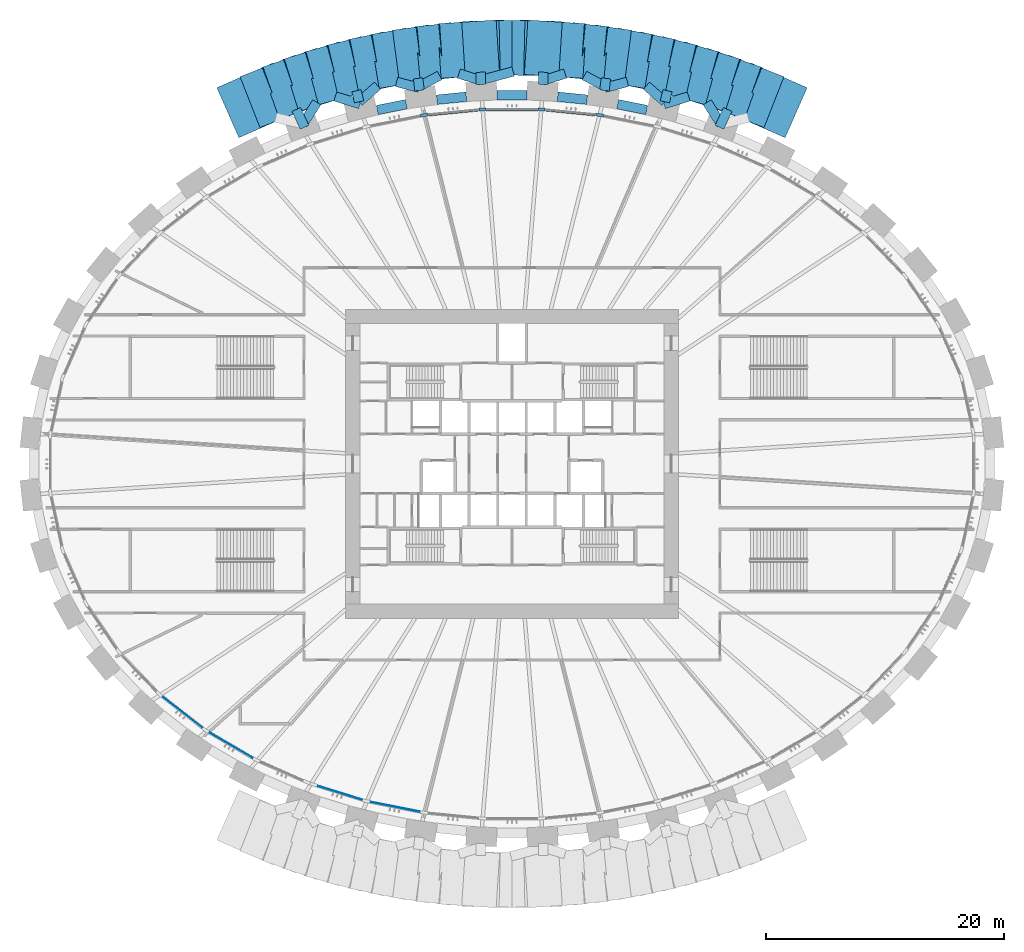
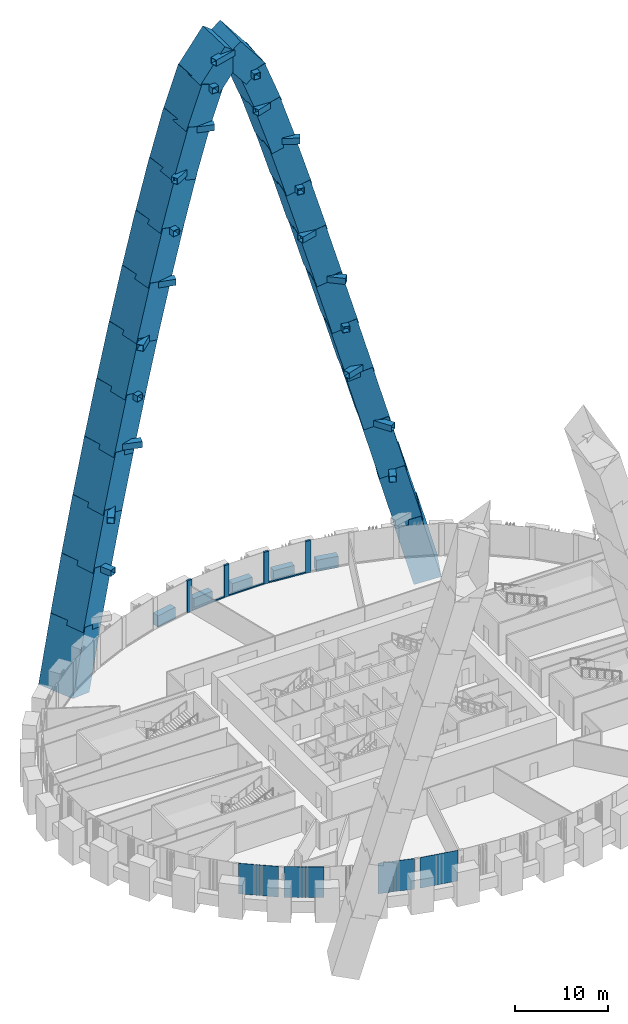
# One storey, part 5 of 23: 52 members, 5 beams, 4 plates, 3 elements without a shape of their own.
"""IFC4 building model written with IfcOpenShell, lengths in metres."""

from ifc_helpers import new_model, si_unit, direction, frame, origin, origin_2d, place, context, subcontext, project, spatial, rectangle, hollow_rectangle, extrude, source, transform, mapped, material, layer, layer_set, material_profile, profile_set, type_object, element, aggregate, save


model = new_model("IFC4")

# Units and contexts
model_context = context("Model", 3, precision=1e-05, world=origin(), true_north=direction((0.0, 1.0)))
body_context = subcontext(model_context, "Body", "Model", "MODEL_VIEW")
ifc_project = project(units=[si_unit("LENGTHUNIT", "METRE"), si_unit("AREAUNIT", "SQUARE_METRE"), si_unit("VOLUMEUNIT", "CUBIC_METRE"), si_unit("PLANEANGLEUNIT", "RADIAN"), si_unit("MASSUNIT", "GRAM", prefix="KILO")], contexts=[model_context])

# Site, building, storey
site_placement = place(None, origin())
site = spatial("IfcSite", under=ifc_project, at=site_placement, CompositionType="ELEMENT")
building_placement = place(site_placement, origin())
building = spatial("IfcBuilding", under=site, at=building_placement, Name="Embergate Tower", CompositionType="ELEMENT")
storey_placement = place(building_placement, frame((0.0, 0.0, 29.0)))
storey = spatial("IfcBuildingStorey", under=building, at=storey_placement, Name="L03", CompositionType="ELEMENT", Elevation=29.0)

# Beams
ifc_material_1 = material(Name="Concrete C70", Category="concrete")
ifc_material_profile_1 = material_profile(ifc_material_1, rectangle(XDim=0.800048828125, YDim=1.5, at=origin_2d()), Name="RC 800x1500")
ifc_profile_set_1 = profile_set([ifc_material_profile_1], Name="Concrete C70")
beam_type = type_object("IfcBeamType", Name="Spandrel beam RC 800x1500 C70", PredefinedType="BEAM", material=ifc_profile_set_1)
shared_shape_1 = source(origin(), body_context, "Body", "SweptSolid", [
    extrude(rectangle(XDim=0.800048828125, YDim=1.5, at=origin_2d()), origin(), (0.0, 0.0, 1.0), 2.49072265625),
])
for number, where, z_axis, x_axis, name in (
    (1, (11.3310546875, 29.76806640625, 0.0), (-0.980535407691, 0.196342339459, 0.0), (-0.196342339459, -0.980535407691, 0.0), "SPN-L03-08"),
    (2, (-8.888916015625, 30.257080078125, 0.0), (-0.980535407691, -0.196342339459, 0.0), (0.196342339459, -0.980535407691, 0.0), "SPN-L03-12"),
):
    element("IfcBeam", number, at=place(storey_placement, frame(where, z_axis=z_axis, x_axis=x_axis)), inside=storey, type_object=beam_type, Name=name, PredefinedType="BEAM", context=body_context, shape_type="MappedRepresentation", body=[
        mapped(shared_shape_1, transform((0.0, 0.0, 0.0))),
    ])
shared_shape_2 = source(origin(), body_context, "Body", "SweptSolid", [
    extrude(rectangle(XDim=0.800048828125, YDim=1.5, at=origin_2d()), origin(), (0.0, 0.0, 1.0), 2.489013671875),
])
for number, where, z_axis, x_axis, name in (
    (3, (6.318115234375, 30.639892578125, 0.0), (-0.995177967328, 0.098085744858, 0.0), (-0.098085744858, -0.995177967328, 0.0), "SPN-L03-09"),
    (4, (-3.841064453125, 30.884033203125, 0.0), (-0.995177967328, -0.098085744858, 0.0), (0.098085744858, -0.995177967328, 0.0), "SPN-L03-11"),
):
    element("IfcBeam", number, at=place(storey_placement, frame(where, z_axis=z_axis, x_axis=x_axis)), inside=storey, type_object=beam_type, Name=name, PredefinedType="BEAM", context=body_context, shape_type="MappedRepresentation", body=[
        mapped(shared_shape_2, transform((0.0, 0.0, 0.0))),
    ])
shared_shape_3 = source(origin(), body_context, "Body", "SweptSolid", [
    extrude(rectangle(XDim=0.800048828125, YDim=1.5, at=origin_2d()), origin(), (0.0, 0.0, 1.0), 2.48779296875),
])
beam_placement = place(storey_placement, frame((1.243896484375, 31.010986328125, 0.0), z_axis=(-1.0, 0.0, 0.0), x_axis=(0.0, -1.0, 0.0)))
element("IfcBeam", 5, at=beam_placement, inside=storey, type_object=beam_type, Name="SPN-L03-10", PredefinedType="BEAM", context=body_context, shape_type="MappedRepresentation", body=[
    mapped(shared_shape_3, transform((0.0, 0.0, 0.0))),
])

# Members
ifc_material_profile_2 = material_profile(ifc_material_1, rectangle(XDim=4.60009765625, YDim=3.10009765625, at=origin_2d()), Name="RC 4600x3100")
ifc_profile_set_2 = profile_set([ifc_material_profile_2], Name="Concrete C70")
member_type_1 = type_object("IfcMemberType", Name="Arch ring masonry RC 4600x3100", PredefinedType="MEMBER", material=ifc_profile_set_2)
shared_shape_4 = source(origin(), body_context, "Body", "SweptSolid", [
    extrude(rectangle(XDim=4.60009765625, YDim=3.10009765625, at=origin_2d()), origin(), (0.0, 0.0, 1.0), 8.43896484375),
])
for number, where, z_axis, x_axis, name in (
    (6, (22.534912109375, 30.14501953125, -5.300048828125), (-0.240555014134, 0.106058290056, 0.964823778877), (-0.403420744744, -0.915014591529, 0.0), "ARC-N-RG00"),
    (7, (-20.5048828125, 31.0400390625, 2.842041015625), (-0.240555014134, -0.106058290056, -0.964823778877), (0.403420744744, -0.915014591529, 0.0), "ARC-N-RG23"),
):
    element("IfcMember", number, at=place(storey_placement, frame(where, z_axis=z_axis, x_axis=x_axis)), inside=storey, type_object=member_type_1, Name=name, PredefinedType="MEMBER", context=body_context, shape_type="MappedRepresentation", body=[
        mapped(shared_shape_4, transform((0.0, 0.0, 0.0))),
    ])
shared_shape_5 = source(origin(), body_context, "Body", "SweptSolid", [
    extrude(rectangle(XDim=4.60009765625, YDim=3.10009765625, at=origin_2d()), origin(), (0.0, 0.0, 1.0), 7.664306640625),
])
for number, where, z_axis, x_axis, name in (
    (8, (20.65087890625, 30.97900390625, 2.263916015625), (-0.245405845847, 0.096423091301, 0.964613165102), (-0.365697225871, -0.930733871195, 0.0), "ARC-N-RG01"),
    (9, (-18.77001953125, 31.718017578125, 9.656982421875), (-0.245405845847, -0.096423091301, -0.964613165102), (0.365697225871, -0.930733871195, 0.0), "ARC-N-RG22"),
):
    element("IfcMember", number, at=place(storey_placement, frame(where, z_axis=z_axis, x_axis=x_axis)), inside=storey, type_object=member_type_1, Name=name, PredefinedType="MEMBER", context=body_context, shape_type="MappedRepresentation", body=[
        mapped(shared_shape_5, transform((0.0, 0.0, 0.0))),
    ])
shared_shape_6 = source(origin(), body_context, "Body", "SweptSolid", [
    extrude(rectangle(XDim=4.60009765625, YDim=3.10009765625, at=origin_2d()), origin(), (0.0, 0.0, 1.0), 7.525390625),
])
for number, where, z_axis, x_axis, name in (
    (10, (18.9189453125, 31.6630859375, 9.0791015625), (-0.249412764304, 0.087560490486, 0.964430626592), (-0.331246829479, -0.943544136731, 0.0), "ARC-N-RG02"),
    (11, (-17.0419921875, 32.322021484375, 16.3369140625), (-0.249412764304, -0.087560490486, -0.964430626592), (0.331246829479, -0.943544136731, 0.0), "ARC-N-RG21"),
):
    element("IfcMember", number, at=place(storey_placement, frame(where, z_axis=z_axis, x_axis=x_axis)), inside=storey, type_object=member_type_1, Name=name, PredefinedType="MEMBER", context=body_context, shape_type="MappedRepresentation", body=[
        mapped(shared_shape_6, transform((0.0, 0.0, 0.0))),
    ])
shared_shape_7 = source(origin(), body_context, "Body", "SweptSolid", [
    extrude(rectangle(XDim=4.60009765625, YDim=3.10009765625, at=origin_2d()), origin(), (0.0, 0.0, 1.0), 7.531982421875),
])
for number, where, z_axis, x_axis, name in (
    (12, (17.193115234375, 32.27197265625, 15.759033203125), (-0.253345446882, 0.078992176824, 0.964145383511), (-0.297662911935, -0.954671038033, 0.0), "ARC-N-RG03"),
    (13, (-15.284912109375, 32.866943359375, 23.02099609375), (-0.253345446882, -0.078992176824, -0.964145383511), (0.297662911935, -0.954671038033, 0.0), "ARC-N-RG20"),
):
    element("IfcMember", number, at=place(storey_placement, frame(where, z_axis=z_axis, x_axis=x_axis)), inside=storey, type_object=member_type_1, Name=name, PredefinedType="MEMBER", context=body_context, shape_type="MappedRepresentation", body=[
        mapped(shared_shape_7, transform((0.0, 0.0, 0.0))),
    ])
shared_shape_8 = source(origin(), body_context, "Body", "SweptSolid", [
    extrude(rectangle(XDim=4.60009765625, YDim=3.10009765625, at=origin_2d()), origin(), (0.0, 0.0, 1.0), 7.528564453125),
])
for number, where, z_axis, x_axis, name in (
    (14, (15.43798828125, 32.822021484375, 22.443115234375), (-0.257288041621, 0.070272647617, 0.963776228507), (-0.263477469912, -0.964665549737, 0.0), "ARC-N-RG04"),
    (15, (-13.5009765625, 33.35107421875, 29.698974609375), (-0.257288041621, -0.070272647617, -0.963776228507), (0.263477469912, -0.964665549737, 0.0), "ARC-N-RG19"),
):
    element("IfcMember", number, at=place(storey_placement, frame(where, z_axis=z_axis, x_axis=x_axis)), inside=storey, type_object=member_type_1, Name=name, PredefinedType="MEMBER", context=body_context, shape_type="MappedRepresentation", body=[
        mapped(shared_shape_8, transform((0.0, 0.0, 0.0))),
    ])
shared_shape_9 = source(origin(), body_context, "Body", "SweptSolid", [
    extrude(rectangle(XDim=4.60009765625, YDim=3.10009765625, at=origin_2d()), origin(), (0.0, 0.0, 1.0), 7.391845703125),
])
for number, where, z_axis, x_axis, name in (
    (16, (13.656005859375, 33.31103515625, 29.12109375), (-0.261521076878, 0.061829686274, 0.963215352994), (-0.230080480463, -0.973171604862, 0.0), "ARC-N-RG05"),
    (17, (-11.722900390625, 33.76806640625, 36.240966796875), (-0.261521076878, -0.061829686274, -0.963215352994), (0.230080480463, -0.973171604862, 0.0), "ARC-N-RG18"),
):
    element("IfcMember", number, at=place(storey_placement, frame(where, z_axis=z_axis, x_axis=x_axis)), inside=storey, type_object=member_type_1, Name=name, PredefinedType="MEMBER", context=body_context, shape_type="MappedRepresentation", body=[
        mapped(shared_shape_9, transform((0.0, 0.0, 0.0))),
    ])
shared_shape_10 = source(origin(), body_context, "Body", "SweptSolid", [
    extrude(rectangle(XDim=4.60009765625, YDim=3.10009765625, at=origin_2d()), origin(), (0.0, 0.0, 1.0), 7.336181640625),
])
for number, where, z_axis, x_axis, name in (
    (18, (11.881103515625, 33.73291015625, 35.6630859375), (-0.266627940432, 0.053445390955, 0.962316544369), (-0.196539734428, -0.98049586067, 0.0), "ARC-N-RG06"),
    (19, (-9.925048828125, 34.125, 42.722900390625), (-0.266627940432, -0.053445390955, -0.962316544369), (0.196539734428, -0.98049586067, 0.0), "ARC-N-RG17"),
):
    element("IfcMember", number, at=place(storey_placement, frame(where, z_axis=z_axis, x_axis=x_axis)), inside=storey, type_object=member_type_1, Name=name, PredefinedType="MEMBER", context=body_context, shape_type="MappedRepresentation", body=[
        mapped(shared_shape_10, transform((0.0, 0.0, 0.0))),
    ])
shared_shape_11 = source(origin(), body_context, "Body", "SweptSolid", [
    extrude(rectangle(XDim=4.60009765625, YDim=3.10009765625, at=origin_2d()), origin(), (0.0, 0.0, 1.0), 7.232177734375),
])
for number, where, z_axis, x_axis, name in (
    (20, (10.0869140625, 34.094970703125, 42.14599609375), (-0.273335102897, 0.045505214117, 0.960841920928), (-0.164221184811, -0.986423541112, 0.0), "ARC-N-RG07"),
    (21, (-8.110107421875, 34.424072265625, 49.094970703125), (-0.273335102897, -0.045505214117, -0.960841920928), (0.164221184811, -0.986423541112, 0.0), "ARC-N-RG16"),
):
    element("IfcMember", number, at=place(storey_placement, frame(where, z_axis=z_axis, x_axis=x_axis)), inside=storey, type_object=member_type_1, Name=name, PredefinedType="MEMBER", context=body_context, shape_type="MappedRepresentation", body=[
        mapped(shared_shape_11, transform((0.0, 0.0, 0.0))),
    ])
shared_shape_12 = source(origin(), body_context, "Body", "SweptSolid", [
    extrude(rectangle(XDim=4.60009765625, YDim=3.10009765625, at=origin_2d()), origin(), (0.0, 0.0, 1.0), 6.9716796875),
])
for number, where, z_axis, x_axis, name in (
    (22, (8.277099609375, 34.39892578125, 48.52001953125), (-0.28385969272, 0.037294667252, 0.958140272947), (-0.130264669149, -0.99147925645, 0.0), "ARC-N-RG08"),
    (23, (-6.298095703125, 34.658935546875, 55.199951171875), (-0.28385969272, -0.037294667252, -0.958140272947), (0.130264669149, -0.99147925645, 0.0), "ARC-N-RG15"),
):
    element("IfcMember", number, at=place(storey_placement, frame(where, z_axis=z_axis, x_axis=x_axis)), inside=storey, type_object=member_type_1, Name=name, PredefinedType="MEMBER", context=body_context, shape_type="MappedRepresentation", body=[
        mapped(shared_shape_12, transform((0.0, 0.0, 0.0))),
    ])
shared_shape_13 = source(origin(), body_context, "Body", "SweptSolid", [
    extrude(rectangle(XDim=4.60009765625, YDim=3.10009765625, at=origin_2d()), origin(), (0.0, 0.0, 1.0), 6.59423828125),
])
for number, where, z_axis, x_axis, name in (
    (24, (6.47412109375, 34.638916015625, 54.626953125), (-0.303485457615, 0.02987834138, 0.952367503505), (-0.097976975258, -0.995188681768, 0.0), "ARC-N-RG09"),
    (25, (-4.472900390625, 34.8359375, 60.906982421875), (-0.303485457615, -0.02987834138, -0.952367503505), (0.097976975258, -0.995188681768, 0.0), "ARC-N-RG14"),
):
    element("IfcMember", number, at=place(storey_placement, frame(where, z_axis=z_axis, x_axis=x_axis)), inside=storey, type_object=member_type_1, Name=name, PredefinedType="MEMBER", context=body_context, shape_type="MappedRepresentation", body=[
        mapped(shared_shape_13, transform((0.0, 0.0, 0.0))),
    ])
shared_shape_14 = source(origin(), body_context, "Body", "SweptSolid", [
    extrude(rectangle(XDim=4.60009765625, YDim=3.10009765625, at=origin_2d()), origin(), (0.0, 0.0, 1.0), 5.80322265625),
])
for number, where, z_axis, x_axis, name in (
    (26, (4.6689453125, 34.820068359375, 60.340087890625), (-0.350814784328, 0.022885626895, 0.936165175158), (-0.065097269965, -0.997878923238, 0.0), "ARC-N-RG10"),
    (27, (-2.633056640625, 34.952880859375, 65.77294921875), (-0.350814784328, -0.022885626895, -0.936165175158), (0.065097269965, -0.997878923238, 0.0), "ARC-N-RG13"),
):
    element("IfcMember", number, at=place(storey_placement, frame(where, z_axis=z_axis, x_axis=x_axis)), inside=storey, type_object=member_type_1, Name=name, PredefinedType="MEMBER", context=body_context, shape_type="MappedRepresentation", body=[
        mapped(shared_shape_14, transform((0.0, 0.0, 0.0))),
    ])
shared_shape_15 = source(origin(), body_context, "Body", "SweptSolid", [
    extrude(rectangle(XDim=4.60009765625, YDim=3.10009765625, at=origin_2d()), origin(), (0.0, 0.0, 1.0), 5.05029296875),
])
for number, where, z_axis, x_axis, name in (
    (28, (2.923095703125, 34.94189453125, 65.256103515625), (-0.615439811981, 0.013487370006, 0.788068479689), (-0.021909749963, -0.999759952617, 0.0), "ARC-N-RG11"),
    (29, (0.18505859375, 35.010009765625, 69.236083984375), (-0.615439811981, -0.013487370006, -0.788068479689), (0.021909749963, -0.999759952617, 0.0), "ARC-N-RG12"),
):
    element("IfcMember", number, at=place(storey_placement, frame(where, z_axis=z_axis, x_axis=x_axis)), inside=storey, type_object=member_type_1, Name=name, PredefinedType="MEMBER", context=body_context, shape_type="MappedRepresentation", body=[
        mapped(shared_shape_15, transform((0.0, 0.0, 0.0))),
    ])
ifc_material_2 = material(Name="Steel Q355D", Category="steel")
ifc_material_profile_3 = material_profile(ifc_material_2, hollow_rectangle(XDim=0.800048828125, YDim=0.800048828125, WallThickness=0.0400390625, at=origin_2d()), Name="BOX 800x800x40")
ifc_profile_set_3 = profile_set([ifc_material_profile_3], Name="Steel Q355 grade D")
member_type_2 = type_object("IfcMemberType", Name="Arch ring tie BOX 800x800x40", PredefinedType="STRUT", material=ifc_profile_set_3)
shared_shape_16 = source(origin(), body_context, "Body", "SweptSolid", [
    extrude(hollow_rectangle(XDim=0.800048828125, YDim=0.800048828125, WallThickness=0.0400390625, at=origin_2d()), origin(), (0.0, 0.0, 1.0), 1.651123046875),
])
for number, where, z_axis, x_axis, name in (
    (30, (17.447998046875, 28.318115234375, 9.367919921875), (0.423338722493, 0.905971481912, 0.0), (-0.905971481912, 0.423338722493, 0.0), "ARC-N-AT02"),
    (31, (-17.447998046875, 28.318115234375, 9.367919921875), (-0.423338722493, 0.905971481912, 0.0), (-0.905971481912, -0.423338722493, 0.0), "ARC-N-AT22"),
):
    element("IfcMember", number, at=place(storey_placement, frame(where, z_axis=z_axis, x_axis=x_axis)), inside=storey, type_object=member_type_2, Name=name, PredefinedType="STRUT", context=body_context, shape_type="MappedRepresentation", body=[
        mapped(shared_shape_16, transform((0.0, 0.0, 0.0))),
    ])
shared_shape_17 = source(origin(), body_context, "Body", "SweptSolid", [
    extrude(hollow_rectangle(XDim=0.800048828125, YDim=0.800048828125, WallThickness=0.0400390625, at=origin_2d()), origin(), (0.0, 0.0, 1.0), 2.205810546875),
])
for number, where, z_axis, x_axis, name in (
    (32, (17.597900390625, 28.555908203125, 16.048095703125), (-0.534022139973, 0.845470492695, 0.0), (-0.845470492695, -0.534022139973, 0.0), "ARC-N-AT03"),
    (33, (-17.597900390625, 28.555908203125, 16.048095703125), (0.534022139973, 0.845470492695, 0.0), (-0.845470492695, 0.534022139973, 0.0), "ARC-N-AT21"),
):
    element("IfcMember", number, at=place(storey_placement, frame(where, z_axis=z_axis, x_axis=x_axis)), inside=storey, type_object=member_type_2, Name=name, PredefinedType="STRUT", context=body_context, shape_type="MappedRepresentation", body=[
        mapped(shared_shape_17, transform((0.0, 0.0, 0.0))),
    ])
shared_shape_18 = source(origin(), body_context, "Body", "SweptSolid", [
    extrude(hollow_rectangle(XDim=0.800048828125, YDim=0.800048828125, WallThickness=0.0400390625, at=origin_2d()), origin(), (0.0, 0.0, 1.0), 2.180419921875),
])
for number, where, z_axis, x_axis, name in (
    (34, (12.781982421875, 30.27001953125, 23.60009765625), (0.956653537909, 0.291228447109, 0.0), (-0.291228447109, 0.956653537909, 0.0), "ARC-N-AT04"),
    (35, (-12.781982421875, 30.27001953125, 23.60009765625), (-0.956653537909, 0.291228447109, 0.0), (-0.291228447109, -0.956653537909, 0.0), "ARC-N-AT20"),
):
    element("IfcMember", number, at=place(storey_placement, frame(where, z_axis=z_axis, x_axis=x_axis)), inside=storey, type_object=member_type_2, Name=name, PredefinedType="STRUT", context=body_context, shape_type="MappedRepresentation", body=[
        mapped(shared_shape_18, transform((0.0, 0.0, 0.0))),
    ])
shared_shape_19 = source(origin(), body_context, "Body", "SweptSolid", [
    extrude(hollow_rectangle(XDim=0.800048828125, YDim=0.800048828125, WallThickness=0.0400390625, at=origin_2d()), origin(), (0.0, 0.0, 1.0), 0.9560546875),
])
for number, where, z_axis, x_axis, name in (
    (36, (12.864013671875, 30.4619140625, 29.409912109375), (0.231102646574, 0.972929373976, 0.0), (-0.972929373976, 0.231102646574, 0.0), "ARC-N-AT05"),
    (37, (-12.864013671875, 30.4619140625, 29.409912109375), (-0.231102646574, 0.972929373976, 0.0), (-0.972929373976, -0.231102646574, 0.0), "ARC-N-AT19"),
):
    element("IfcMember", number, at=place(storey_placement, frame(where, z_axis=z_axis, x_axis=x_axis)), inside=storey, type_object=member_type_2, Name=name, PredefinedType="STRUT", context=body_context, shape_type="MappedRepresentation", body=[
        mapped(shared_shape_19, transform((0.0, 0.0, 0.0))),
    ])
shared_shape_20 = source(origin(), body_context, "Body", "SweptSolid", [
    extrude(hollow_rectangle(XDim=0.800048828125, YDim=0.800048828125, WallThickness=0.0400390625, at=origin_2d()), origin(), (0.0, 0.0, 1.0), 2.059326171875),
])
for number, where, z_axis, x_axis, name in (
    (38, (12.864013671875, 30.4619140625, 36.0), (-0.755528684632, 0.655115567437, 0.0), (-0.655115567437, -0.755528684632, 0.0), "ARC-N-AT06"),
    (39, (-12.864013671875, 30.4619140625, 36.0), (0.755528684632, 0.655115567437, 0.0), (-0.655115567437, 0.755528684632, 0.0), "ARC-N-AT18"),
):
    element("IfcMember", number, at=place(storey_placement, frame(where, z_axis=z_axis, x_axis=x_axis)), inside=storey, type_object=member_type_2, Name=name, PredefinedType="STRUT", context=body_context, shape_type="MappedRepresentation", body=[
        mapped(shared_shape_20, transform((0.0, 0.0, 0.0))),
    ])
shared_shape_21 = source(origin(), body_context, "Body", "SweptSolid", [
    extrude(hollow_rectangle(XDim=0.800048828125, YDim=0.800048828125, WallThickness=0.0400390625, at=origin_2d()), origin(), (0.0, 0.0, 1.0), 1.968994140625),
])
for number, where, z_axis, x_axis, name in (
    (40, (7.804931640625, 31.636962890625, 42.43408203125), (0.967998013757, 0.25095785575, 0.0), (-0.25095785575, 0.967998013757, 0.0), "ARC-N-AT07"),
    (41, (-7.804931640625, 31.636962890625, 42.43408203125), (-0.967998013757, 0.25095785575, 0.0), (-0.25095785575, -0.967998013757, 0.0), "ARC-N-AT17"),
):
    element("IfcMember", number, at=place(storey_placement, frame(where, z_axis=z_axis, x_axis=x_axis)), inside=storey, type_object=member_type_2, Name=name, PredefinedType="STRUT", context=body_context, shape_type="MappedRepresentation", body=[
        mapped(shared_shape_21, transform((0.0, 0.0, 0.0))),
    ])
shared_shape_22 = source(origin(), body_context, "Body", "SweptSolid", [
    extrude(hollow_rectangle(XDim=0.800048828125, YDim=0.800048828125, WallThickness=0.0400390625, at=origin_2d()), origin(), (0.0, 0.0, 1.0), 1.019775390625),
])
for number, where, z_axis, x_axis, name in (
    (42, (7.780029296875, 31.4189453125, 48.806884765625), (0.115632696076, 0.993292041445, 0.0), (-0.993292041445, 0.115632696076, 0.0), "ARC-N-AT08"),
    (43, (-7.780029296875, 31.4189453125, 48.806884765625), (-0.115632696076, 0.993292041445, 0.0), (-0.993292041445, -0.115632696076, 0.0), "ARC-N-AT16"),
):
    element("IfcMember", number, at=place(storey_placement, frame(where, z_axis=z_axis, x_axis=x_axis)), inside=storey, type_object=member_type_2, Name=name, PredefinedType="STRUT", context=body_context, shape_type="MappedRepresentation", body=[
        mapped(shared_shape_22, transform((0.0, 0.0, 0.0))),
    ])
shared_shape_23 = source(origin(), body_context, "Body", "SweptSolid", [
    extrude(hollow_rectangle(XDim=0.800048828125, YDim=0.800048828125, WallThickness=0.0400390625, at=origin_2d()), origin(), (0.0, 0.0, 1.0), 1.97412109375),
])
for number, where, z_axis, x_axis, name in (
    (44, (7.83203125, 31.742919921875, 55.5), (-0.882889843968, 0.469580156541, 0.0), (-0.469580156541, -0.882889843968, 0.0), "ARC-N-AT09"),
    (45, (-7.83203125, 31.742919921875, 55.5), (0.882889843968, 0.469580156541, 0.0), (-0.469580156541, 0.882889843968, 0.0), "ARC-N-AT15"),
):
    element("IfcMember", number, at=place(storey_placement, frame(where, z_axis=z_axis, x_axis=x_axis)), inside=storey, type_object=member_type_2, Name=name, PredefinedType="STRUT", context=body_context, shape_type="MappedRepresentation", body=[
        mapped(shared_shape_23, transform((0.0, 0.0, 0.0))),
    ])
shared_shape_24 = source(origin(), body_context, "Body", "SweptSolid", [
    extrude(hollow_rectangle(XDim=0.800048828125, YDim=0.800048828125, WallThickness=0.0400390625, at=origin_2d()), origin(), (0.0, 0.0, 1.0), 1.934326171875),
])
for number, where, z_axis, x_axis, name in (
    (46, (2.618896484375, 32.2548828125, 60.62109375), (0.954923580566, 0.296851739558, 0.0), (-0.296851739558, 0.954923580566, 0.0), "ARC-N-AT10"),
    (47, (-2.618896484375, 32.2548828125, 60.62109375), (-0.954923580566, 0.296851739558, 0.0), (-0.296851739558, -0.954923580566, 0.0), "ARC-N-AT14"),
):
    element("IfcMember", number, at=place(storey_placement, frame(where, z_axis=z_axis, x_axis=x_axis)), inside=storey, type_object=member_type_2, Name=name, PredefinedType="STRUT", context=body_context, shape_type="MappedRepresentation", body=[
        mapped(shared_shape_24, transform((0.0, 0.0, 0.0))),
    ])
shared_shape_25 = source(origin(), body_context, "Body", "SweptSolid", [
    extrude(hollow_rectangle(XDim=0.800048828125, YDim=0.800048828125, WallThickness=0.0400390625, at=origin_2d()), origin(), (0.0, 0.0, 1.0), 1.01953125),
])
for number, where, z_axis, x_axis, name in (
    (48, (2.611083984375, 31.928955078125, 65.491943359375), (0.028258954252, 0.999600636006, 0.0), (-0.999600636006, 0.028258954252, 0.0), "ARC-N-AT11"),
    (49, (-2.611083984375, 31.928955078125, 65.491943359375), (-0.028258954252, 0.999600636006, 0.0), (-0.999600636006, -0.028258954252, 0.0), "ARC-N-AT13"),
):
    element("IfcMember", number, at=place(storey_placement, frame(where, z_axis=z_axis, x_axis=x_axis)), inside=storey, type_object=member_type_2, Name=name, PredefinedType="STRUT", context=body_context, shape_type="MappedRepresentation", body=[
        mapped(shared_shape_25, transform((0.0, 0.0, 0.0))),
    ])
shared_shape_26 = source(origin(), body_context, "Body", "SweptSolid", [
    extrude(hollow_rectangle(XDim=0.800048828125, YDim=0.800048828125, WallThickness=0.0400390625, at=origin_2d()), origin(), (0.0, 0.0, 1.0), 2.813232421875),
])
member_1_placement = place(storey_placement, frame((-2.62109375, 32.285888671875, 69.0), z_axis=(0.966490846183, 0.256701079555, 0.0), x_axis=(-0.256701079555, 0.966490846183, 0.0)))
element("IfcMember", 50, at=member_1_placement, inside=storey, type_object=member_type_2, Name="ARC-N-AT12", PredefinedType="STRUT", context=body_context, shape_type="MappedRepresentation", body=[
    mapped(shared_shape_26, transform((0.0, 0.0, 0.0))),
])

# Curtain wall, members
ifc_material_3 = material(Name="Aluminium and glass", Category="aluminium")
curtain_wall_type = type_object("IfcCurtainWallType", Name="Podium base glazing", PredefinedType="NOTDEFINED", material=ifc_material_3)
curtain_wall_1_placement = place(storey_placement, origin())
curtain_wall_1 = element("IfcCurtainWall", 51, at=curtain_wall_1_placement, inside=storey, type_object=curtain_wall_type, Name="Podium base glazing run 1", ObjectType="PODIUM BASE GLAZING", PredefinedType="USERDEFINED")
ifc_material_4 = material(Name="Aluminium, thermally broken", Category="aluminium")
ifc_material_profile_4 = material_profile(ifc_material_4, rectangle(XDim=0.239990234375, YDim=0.60009765625, at=origin_2d()), Name="AL 600x240")
ifc_profile_set_4 = profile_set([ifc_material_profile_4], Name="Aluminium, thermally broken")
member_type_3 = type_object("IfcMemberType", Name="Base mullion", PredefinedType="MULLION", material=ifc_profile_set_4)
shared_shape_27 = source(origin(), body_context, "Body", "SweptSolid", [
    extrude(rectangle(XDim=0.239990234375, YDim=0.60009765625, at=origin_2d()), origin(), (0.0, 0.0, 1.0), 4.199951171875),
])
member_2_placement = place(storey_placement, frame((7.407470703125, 29.337890625, 0.0), z_axis=(0.0, 0.0, 1.0), x_axis=(-0.147415835341, -0.989074603602, 0.0)))
member_2 = element("IfcMember", 52, at=member_2_placement, type_object=member_type_3, Name="CW mullion 10", PredefinedType="MULLION", context=body_context, shape_type="MappedRepresentation", body=[
    mapped(shared_shape_27, transform((0.0, 0.0, 0.0))),
])
member_3_placement = place(storey_placement, frame((2.477294921875, 29.822509765625, 0.0), z_axis=(0.0, 0.0, 1.0), x_axis=(-0.048971796621, -0.998800161762, 0.0)))
member_3 = element("IfcMember", 53, at=member_3_placement, type_object=member_type_3, Name="CW mullion 11", PredefinedType="MULLION", context=body_context, shape_type="MappedRepresentation", body=[
    mapped(shared_shape_27, transform((0.0, 0.0, 0.0))),
])
member_4_placement = place(storey_placement, frame((-2.477294921875, 29.822509765625, 0.0), z_axis=(0.0, 0.0, 1.0), x_axis=(0.048971796621, -0.998800161762, 0.0)))
member_4 = element("IfcMember", 54, at=member_4_placement, type_object=member_type_3, Name="CW mullion 12", PredefinedType="MULLION", context=body_context, shape_type="MappedRepresentation", body=[
    mapped(shared_shape_27, transform((0.0, 0.0, 0.0))),
])
member_5_placement = place(storey_placement, frame((-7.407470703125, 29.337890625, 0.0), z_axis=(0.0, 0.0, 1.0), x_axis=(0.147415835341, -0.989074603602, 0.0)))
member_5 = element("IfcMember", 55, at=member_5_placement, type_object=member_type_3, Name="CW mullion 13", PredefinedType="MULLION", context=body_context, shape_type="MappedRepresentation", body=[
    mapped(shared_shape_27, transform((0.0, 0.0, 0.0))),
])
ifc_material_profile_5 = material_profile(ifc_material_4, rectangle(XDim=0.239990234375, YDim=0.159912109375, at=origin_2d()), Name="AL 160x240")
ifc_profile_set_5 = profile_set([ifc_material_profile_5], Name="Aluminium, thermally broken")
member_type_4 = type_object("IfcMemberType", Name="Base transom", PredefinedType="USERDEFINED", material=ifc_profile_set_5)
shared_shape_28 = source(origin(), body_context, "Body", "SweptSolid", [
    extrude(rectangle(XDim=0.239990234375, YDim=0.159912109375, at=origin_2d()), origin(), (0.0, 0.0, 1.0), 4.35400390625),
])
member_6_placement = place(storey_placement, frame((7.10888671875, 29.3671875, 0.080078125), z_axis=(-0.995201260808, 0.097849121034, 0.0), x_axis=(-0.097849121034, -0.995201260808, 0.0)))
member_6 = element("IfcMember", 56, at=member_6_placement, type_object=member_type_4, Name="CW transom 10.1", ObjectType="TRANSOM", PredefinedType="USERDEFINED", context=body_context, shape_type="MappedRepresentation", body=[
    mapped(shared_shape_28, transform((0.0, 0.0, 0.0))),
])
member_7_placement = place(storey_placement, frame((-2.77587890625, 29.793212890625, 0.080078125), z_axis=(-0.995201260808, -0.097849121034, 0.0), x_axis=(0.097849121034, -0.995201260808, 0.0)))
member_7 = element("IfcMember", 57, at=member_7_placement, type_object=member_type_4, Name="CW transom 12.1", ObjectType="TRANSOM", PredefinedType="USERDEFINED", context=body_context, shape_type="MappedRepresentation", body=[
    mapped(shared_shape_28, transform((0.0, 0.0, 0.0))),
])
shared_shape_29 = source(origin(), body_context, "Body", "SweptSolid", [
    extrude(rectangle(XDim=0.239990234375, YDim=0.159912109375, at=origin_2d()), origin(), (0.0, 0.0, 1.0), 4.3544921875),
])
member_8_placement = place(storey_placement, frame((2.17724609375, 29.822509765625, 0.080078125), z_axis=(-1.0, 0.0, 0.0), x_axis=(0.0, -1.0, 0.0)))
member_8 = element("IfcMember", 58, at=member_8_placement, type_object=member_type_4, Name="CW transom 11.1", ObjectType="TRANSOM", PredefinedType="USERDEFINED", context=body_context, shape_type="MappedRepresentation", body=[
    mapped(shared_shape_29, transform((0.0, 0.0, 0.0))),
])
aggregate(curtain_wall_1, [member_2, member_3, member_4, member_5, member_6, member_8, member_7])

# Curtain wall, plates
curtain_wall_2_placement = place(storey_placement, origin())
curtain_wall_2 = element("IfcCurtainWall", 59, at=curtain_wall_2_placement, inside=storey, type_object=curtain_wall_type, Name="Podium base glazing run 2", ObjectType="PODIUM BASE GLAZING", PredefinedType="USERDEFINED")
ifc_material_5 = material(Name="Triple glazing, low-emissivity coating", Category="glass")
ifc_layer = layer(ifc_material_5, 0.0400390625)
ifc_layer_set = layer_set([ifc_layer], Name="Triple glazing, low-emissivity coating")
plate_type = type_object("IfcPlateType", Name="Base glazing unit", PredefinedType="CURTAIN_PANEL", material=ifc_layer_set)
shared_shape_30 = source(origin(), body_context, "Body", "SweptSolid", [
    extrude(rectangle(XDim=4.33544921875, YDim=0.0400390625, at=origin_2d()), origin(), (0.0, 0.0, 1.0), 4.0400390625),
])
plate_1_placement = place(storey_placement, frame((-27.7275390625, -20.88720703125, 0.159912109375), z_axis=(0.0, 0.0, 1.0), x_axis=(0.788312602312, -0.615274931259, 0.0)))
plate_1 = element("IfcPlate", 60, at=plate_1_placement, type_object=plate_type, Name="CW panel 12.1", PredefinedType="CURTAIN_PANEL", context=body_context, shape_type="MappedRepresentation", body=[
    mapped(shared_shape_30, transform((0.0, 0.0, 0.0))),
])
shared_shape_31 = source(origin(), body_context, "Body", "SweptSolid", [
    extrude(rectangle(XDim=4.341796875, YDim=0.0400390625, at=origin_2d()), origin(), (0.0, 0.0, 1.0), 4.0400390625),
])
plate_2_placement = place(storey_placement, frame((-23.652099609375, -23.65771484375, 0.159912109375), z_axis=(0.0, 0.0, 1.0), x_axis=(0.862046975799, -0.506828384679, 0.0)))
plate_2 = element("IfcPlate", 61, at=plate_2_placement, type_object=plate_type, Name="CW panel 13.1", PredefinedType="CURTAIN_PANEL", context=body_context, shape_type="MappedRepresentation", body=[
    mapped(shared_shape_31, transform((0.0, 0.0, 0.0))),
])
aggregate(curtain_wall_2, [plate_1, plate_2])

curtain_wall_3_placement = place(storey_placement, origin())
curtain_wall_3 = element("IfcCurtainWall", 62, at=curtain_wall_3_placement, inside=storey, type_object=curtain_wall_type, Name="Podium base glazing run 3", ObjectType="PODIUM BASE GLAZING", PredefinedType="USERDEFINED")
shared_shape_32 = source(origin(), body_context, "Body", "SweptSolid", [
    extrude(rectangle(XDim=4.3525390625, YDim=0.0400390625, at=origin_2d()), origin(), (0.0, 0.0, 1.0), 4.0400390625),
])
plate_3_placement = place(storey_placement, frame((-9.83544921875, -28.850830078125, 0.159912109375), z_axis=(0.0, 0.0, 1.0), x_axis=(0.980474877795, -0.196644384646, 0.0)))
plate_3 = element("IfcPlate", 63, at=plate_3_placement, type_object=plate_type, Name="CW panel 2.1", PredefinedType="CURTAIN_PANEL", context=body_context, shape_type="MappedRepresentation", body=[
    mapped(shared_shape_32, transform((0.0, 0.0, 0.0))),
])
shared_shape_33 = source(origin(), body_context, "Body", "SweptSolid", [
    extrude(rectangle(XDim=4.05029296875, YDim=0.0400390625, at=origin_2d()), origin(), (0.0, 0.0, 1.0), 4.0400390625),
])
plate_4_placement = place(storey_placement, frame((-14.4833984375, -27.672607421875, 0.159912109375), z_axis=(0.0, 0.0, 1.0), x_axis=(0.954769622373, -0.297346545624, 0.0)))
plate_4 = element("IfcPlate", 64, at=plate_4_placement, type_object=plate_type, Name="CW panel 1.1", PredefinedType="CURTAIN_PANEL", context=body_context, shape_type="MappedRepresentation", body=[
    mapped(shared_shape_33, transform((0.0, 0.0, 0.0))),
])
aggregate(curtain_wall_3, [plate_4, plate_3])

save(model, "model.ifc")
